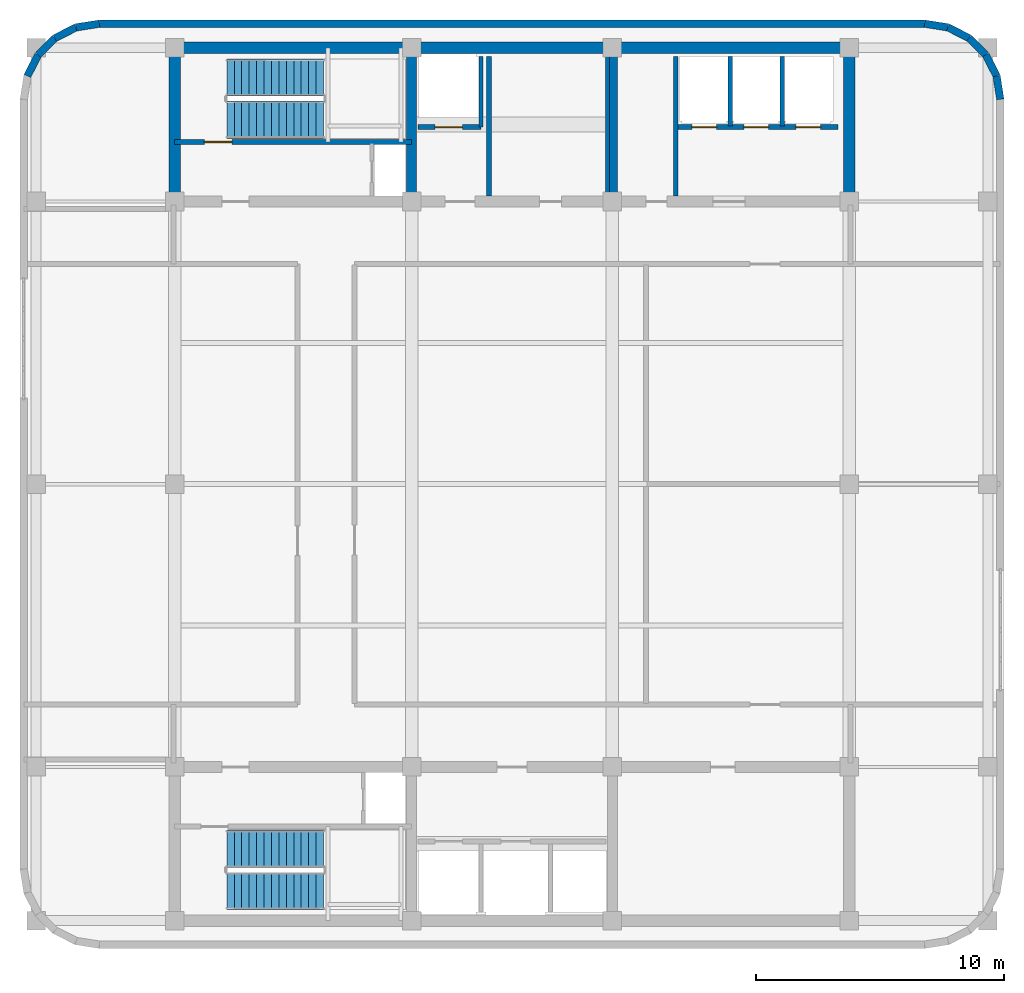
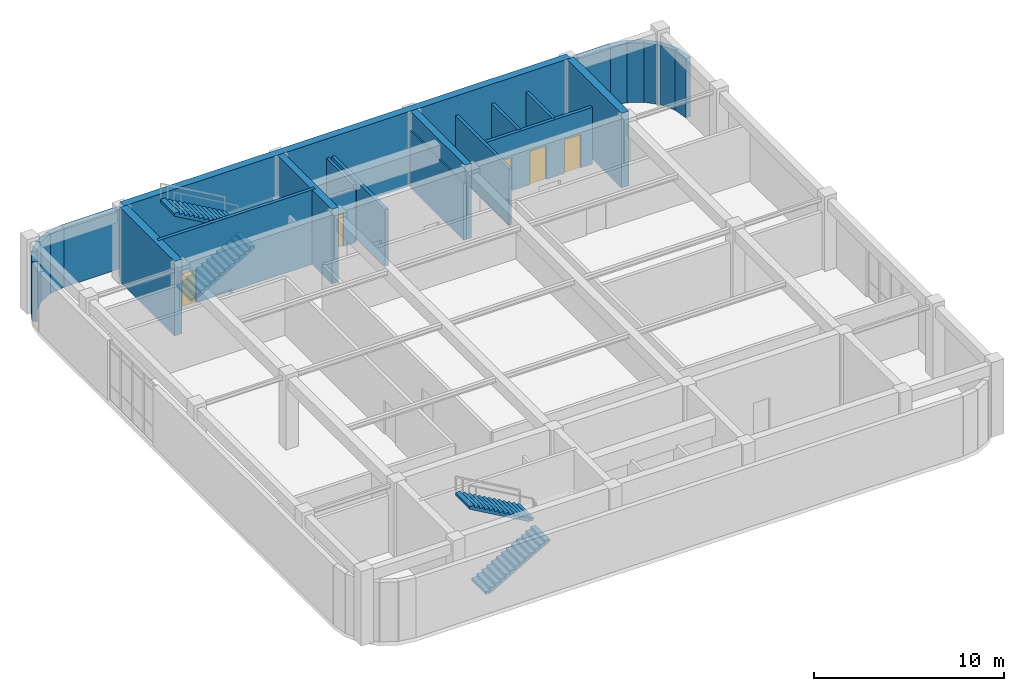
# One storey, part 6 of 7: 24 walls, 5 doors, 4 stair flights, 5 openings, 2 elements without a shape of their own.
"""IFC4 building model written with IfcOpenShell, lengths in metres."""

from ifc_helpers import new_model, si_unit, direction, frame, frame_2d, origin, place, context, subcontext, project, spatial, polyline, rectangle, outline, extrude, material, layer, layer_set, type_object, element, fill, aggregate, save


model = new_model("IFC4")

# Units and contexts
model_context = context("Model", 3, precision=1e-05, world=origin(), true_north=direction((0.0, 1.0)))
body_context = subcontext(model_context, "Body", "Model", "MODEL_VIEW")
ifc_project = project(units=[si_unit("LENGTHUNIT", "METRE"), si_unit("AREAUNIT", "SQUARE_METRE"), si_unit("VOLUMEUNIT", "CUBIC_METRE"), si_unit("PLANEANGLEUNIT", "RADIAN"), si_unit("MASSUNIT", "GRAM", prefix="KILO")], contexts=[model_context])

# Site, building, storey
site_placement = place(None, origin())
site = spatial("IfcSite", under=ifc_project, at=site_placement, CompositionType="ELEMENT")
building_placement = place(site_placement, origin())
building = spatial("IfcBuilding", under=site, at=building_placement, Name="Svetorya Sky Lyceum", CompositionType="ELEMENT")
storey_placement = place(building_placement, frame((0.0, 0.0, 255.39990234375)))
storey = spatial("IfcBuildingStorey", under=building, at=storey_placement, Name="L64", CompositionType="ELEMENT", Elevation=255.39990234375)

# Walls
ifc_material_1 = material(Name="Concrete C40/50", Category="concrete")
ifc_layer_1 = layer(ifc_material_1, 0.39990234375)
ifc_layer_set_1 = layer_set([ifc_layer_1], Name="Concrete C40/50")
wall_type_1 = type_object("IfcWallType", Name="WL-CORE-400", PredefinedType="SHEAR", material=ifc_layer_set_1)
for number, where, z_axis, x_axis, name in (
    (1, (35.14990234375, 39.824951171875, 0.0), (0.0, 0.0, 1.0), (0.0, 1.0, 0.0), "L64 NC Internal Shear Web WEB1"),
    (2, (43.25, 39.824951171875, 0.0), (0.0, 0.0, 1.0), (0.0, 1.0, 0.0), "L64 NC Internal Shear Web WEB2"),
):
    element("IfcWall", number, at=place(storey_placement, frame(where, z_axis=z_axis, x_axis=x_axis)), inside=storey, type_object=wall_type_1, Name=name, PredefinedType="SHEAR", context=body_context, shape_type="SweptSolid", body=[
        extrude(rectangle(XDim=5.75, YDim=0.39990234375, at=frame_2d((2.875, 0.0))), origin(), (0.0, 0.0, 1.0), 4.800048828125),
    ])
ifc_material_2 = material(Name="Concrete C50/60", Category="concrete")
ifc_layer_2 = layer(ifc_material_2, 0.449951171875)
ifc_layer_set_2 = layer_set([ifc_layer_2], Name="Concrete C50/60")
wall_type_2 = type_object("IfcWallType", Name="WL-CORE-450", PredefinedType="SHEAR", material=ifc_layer_set_2)
wall_1_placement = place(storey_placement, frame((25.60009765625, 45.800048828125, 0.0), z_axis=(0.0, 0.0, 1.0), x_axis=(1.0, 0.0, 0.0)))
element("IfcWall", 3, at=wall_1_placement, inside=storey, type_object=wall_type_2, Name="L64 NC Outer Core Shear Wall", PredefinedType="SHEAR", context=body_context, shape_type="SweptSolid", body=[
    extrude(rectangle(XDim=27.199951171875, YDim=0.449951171875, at=frame_2d((13.60009765625, 0.0))), origin(), (0.0, 0.0, 1.0), 4.800048828125),
])
for number, where, z_axis, x_axis, name in (
    (4, (25.60009765625, 39.824951171875, 0.0), (0.0, 0.0, 1.0), (0.0, 1.0, 0.0), "L64 NC West Core Shear Wall"),
    (5, (52.800048828125, 39.824951171875, 0.0), (0.0, 0.0, 1.0), (0.0, 1.0, 0.0), "L64 NC East Core Shear Wall"),
):
    element("IfcWall", number, at=place(storey_placement, frame(where, z_axis=z_axis, x_axis=x_axis)), inside=storey, type_object=wall_type_2, Name=name, PredefinedType="SHEAR", context=body_context, shape_type="SweptSolid", body=[
        extrude(rectangle(XDim=5.75, YDim=0.449951171875, at=frame_2d((2.875, 0.0))), origin(), (0.0, 0.0, 1.0), 4.800048828125),
    ])
ifc_material_3 = material(Name="Putilovo limestone rainscreen on autoclaved cellular masonry", Category="masonry")
ifc_layer_3 = layer(ifc_material_3, 0.300048828125)
ifc_layer_set_3 = layer_set([ifc_layer_3], Name="Putilovo limestone rainscreen on autoclaved cellular masonry")
wall_type_3 = type_object("IfcWallType", Name="WL-EXT-300", PredefinedType="SOLIDWALL", material=ifc_layer_set_3)
wall_2_placement = place(storey_placement, frame((58.889892578125, 43.719970703125, 0.0), z_axis=(0.0, 0.0, 1.0), x_axis=(-0.156304114255, 0.987708977314, 0.0)))
element("IfcWall", 6, at=wall_2_placement, inside=storey, type_object=wall_type_3, Name="L64 Limestone Exterior Wall 13M", PredefinedType="SOLIDWALL", context=body_context, shape_type="SweptSolid", body=[
    extrude(rectangle(XDim=0.954345703125, YDim=0.300048828125, at=frame_2d((0.47705078125, 0.0))), origin(), (0.0, 0.0, 1.0), 3.830078125),
])
wall_3_placement = place(storey_placement, frame((58.74072265625, 44.66259765625, 0.0), z_axis=(0.0, 0.0, 1.0), x_axis=(-0.45395644796, 0.891023873617, 0.0)))
element("IfcWall", 7, at=wall_3_placement, inside=storey, type_object=wall_type_3, Name="L64 Limestone Exterior Wall 14M", PredefinedType="SOLIDWALL", context=body_context, shape_type="SweptSolid", body=[
    extrude(rectangle(XDim=0.9541015625, YDim=0.300048828125, at=frame_2d((0.47705078125, 0.0))), origin(), (0.0, 0.0, 1.0), 3.830078125),
])
for number, where, z_axis, x_axis, name in (
    (8, (58.3076171875, 45.5126953125, 0.0), (0.0, 0.0, 1.0), (-0.707106781187, 0.707106781187, 0.0), "L64 Limestone Exterior Wall 15M"),
    (9, (57.6328125, 46.1875, 0.0), (0.0, 0.0, 1.0), (-0.891076589373, 0.453852962833, 0.0), "L64 Limestone Exterior Wall 16M"),
):
    element("IfcWall", number, at=place(storey_placement, frame(where, z_axis=z_axis, x_axis=x_axis)), inside=storey, type_object=wall_type_3, Name=name, PredefinedType="SOLIDWALL", context=body_context, shape_type="SweptSolid", body=[
        extrude(rectangle(XDim=0.954345703125, YDim=0.300048828125, at=frame_2d((0.47705078125, 0.0))), origin(), (0.0, 0.0, 1.0), 3.830078125),
    ])
wall_4_placement = place(storey_placement, frame((56.782470703125, 46.62060546875, 0.0), z_axis=(0.0, 0.0, 1.0), x_axis=(-0.987663181641, 0.156593229835, 0.0)))
element("IfcWall", 10, at=wall_4_placement, inside=storey, type_object=wall_type_3, Name="L64 Limestone Exterior Wall 17M", PredefinedType="SOLIDWALL", context=body_context, shape_type="SweptSolid", body=[
    extrude(rectangle(XDim=0.9541015625, YDim=0.300048828125, at=frame_2d((0.47705078125, 0.0))), origin(), (0.0, 0.0, 1.0), 3.830078125),
])
wall_5_placement = place(storey_placement, frame((55.840087890625, 46.77001953125, 0.0), z_axis=(0.0, 0.0, 1.0), x_axis=(-1.0, 0.0, 0.0)))
element("IfcWall", 11, at=wall_5_placement, inside=storey, type_object=wall_type_3, Name="L64 Limestone Exterior Wall 18M", PredefinedType="SOLIDWALL", context=body_context, shape_type="SweptSolid", body=[
    extrude(rectangle(XDim=33.280029296875, YDim=0.300048828125, at=frame_2d((16.64013671875, 0.0))), origin(), (0.0, 0.0, 1.0), 3.830078125),
])
wall_6_placement = place(storey_placement, frame((22.56005859375, 46.77001953125, 0.0), z_axis=(0.0, 0.0, 1.0), x_axis=(-0.987669453596, -0.156553666304, 0.0)))
element("IfcWall", 12, at=wall_6_placement, inside=storey, type_object=wall_type_3, Name="L64 Limestone Exterior Wall 19M", PredefinedType="SOLIDWALL", context=body_context, shape_type="SweptSolid", body=[
    extrude(rectangle(XDim=0.954345703125, YDim=0.300048828125, at=frame_2d((0.47705078125, 0.0))), origin(), (0.0, 0.0, 1.0), 3.830078125),
])
wall_7_placement = place(storey_placement, frame((21.617431640625, 46.62060546875, 0.0), z_axis=(0.0, 0.0, 1.0), x_axis=(-0.891023873617, -0.45395644796, 0.0)))
element("IfcWall", 13, at=wall_7_placement, inside=storey, type_object=wall_type_3, Name="L64 Limestone Exterior Wall 20M", PredefinedType="SOLIDWALL", context=body_context, shape_type="SweptSolid", body=[
    extrude(rectangle(XDim=0.9541015625, YDim=0.300048828125, at=frame_2d((0.47705078125, 0.0))), origin(), (0.0, 0.0, 1.0), 3.830078125),
])
wall_8_placement = place(storey_placement, frame((20.767333984375, 46.1875, 0.0), z_axis=(0.0, 0.0, 1.0), x_axis=(-0.707106781187, -0.707106781187, 0.0)))
element("IfcWall", 14, at=wall_8_placement, inside=storey, type_object=wall_type_3, Name="L64 Limestone Exterior Wall 21M", PredefinedType="SOLIDWALL", context=body_context, shape_type="SweptSolid", body=[
    extrude(rectangle(XDim=0.954345703125, YDim=0.300048828125, at=frame_2d((0.47705078125, 0.0))), origin(), (0.0, 0.0, 1.0), 3.830078125),
])
wall_9_placement = place(storey_placement, frame((20.092529296875, 45.5126953125, 0.0), z_axis=(0.0, 0.0, 1.0), x_axis=(-0.454159573051, -0.890920356825, 0.0)))
element("IfcWall", 15, at=wall_9_placement, inside=storey, type_object=wall_type_3, Name="L64 Limestone Exterior Wall 22M", PredefinedType="SOLIDWALL", context=body_context, shape_type="SweptSolid", body=[
    extrude(rectangle(XDim=0.9541015625, YDim=0.300048828125, at=frame_2d((0.47705078125, 0.0))), origin(), (0.0, 0.0, 1.0), 3.830078125),
])
ifc_material_4 = material(Name="Autoclaved cellular masonry blockwork with fire render", Category="masonry")
ifc_layer_4 = layer(ifc_material_4, 0.175048828125)
ifc_layer_set_4 = layer_set([ifc_layer_4], Name="Autoclaved cellular masonry blockwork with fire render")
wall_type_4 = type_object("IfcWallType", Name="WL-PART-175", PredefinedType="PARTITIONING", material=ifc_layer_set_4)
wall_10_placement = place(storey_placement, frame((37.949951171875, 42.60009765625, 0.0), z_axis=(0.0, 0.0, 1.0), x_axis=(0.0, 1.0, 0.0)))
element("IfcWall", 16, at=wall_10_placement, inside=storey, type_object=wall_type_4, Name="L64 Interior Partition NC-FL1SIDE", PredefinedType="PARTITIONING", context=body_context, shape_type="SweptSolid", body=[
    extrude(rectangle(XDim=2.849853515625, YDim=0.175048828125, at=frame_2d((1.4248046875, 0.0))), origin(), (0.0, 0.0, 1.0), 3.66015625),
])
for number, where, z_axis, x_axis, name in (
    (17, (43.050048828125, 39.820068359375, 0.0), (0.0, 0.0, 1.0), (0.0, 1.0, 0.0), "L64 Interior Partition NC-FPM-END"),
    (18, (45.800048828125, 39.820068359375, 0.0), (0.0, 0.0, 1.0), (0.0, 1.0, 0.0), "L64 Interior Partition NC-PM3-FULL"),
):
    element("IfcWall", number, at=place(storey_placement, frame(where, z_axis=z_axis, x_axis=x_axis)), inside=storey, type_object=wall_type_4, Name=name, PredefinedType="PARTITIONING", context=body_context, shape_type="SweptSolid", body=[
        extrude(rectangle(XDim=5.6298828125, YDim=0.175048828125, at=frame_2d((2.81494140625, 0.0))), origin(), (0.0, 0.0, 1.0), 3.66015625),
    ])
for number, where, z_axis, x_axis, name in (
    (19, (48.0, 42.64990234375, 0.0), (0.0, 0.0, 1.0), (0.0, 1.0, 0.0), "L64 Interior Partition NC-PH-D1"),
    (20, (50.10009765625, 42.64990234375, 0.0), (0.0, 0.0, 1.0), (0.0, 1.0, 0.0), "L64 Interior Partition NC-PH-D2"),
):
    element("IfcWall", number, at=place(storey_placement, frame(where, z_axis=z_axis, x_axis=x_axis)), inside=storey, type_object=wall_type_4, Name=name, PredefinedType="PARTITIONING", context=body_context, shape_type="SweptSolid", body=[
        extrude(rectangle(XDim=2.800048828125, YDim=0.175048828125, at=frame_2d((1.39990234375, 0.0))), origin(), (0.0, 0.0, 1.0), 3.66015625),
    ])

# Wall, opening, door
ifc_material_5 = material(Name="Autoclaved cellular masonry blockwork with gypsum plaster", Category="masonry")
ifc_layer_5 = layer(ifc_material_5, 0.199951171875)
ifc_layer_set_5 = layer_set([ifc_layer_5], Name="Autoclaved cellular masonry blockwork with gypsum plaster")
wall_type_5 = type_object("IfcWallType", Name="WL-PART-200", PredefinedType="PARTITIONING", material=ifc_layer_set_5)
wall_11_placement = place(storey_placement, frame((37.949951171875, 42.60009765625, 0.0), z_axis=(0.0, 0.0, 1.0), x_axis=(-1.0, 0.0, 0.0)))
wall_11 = element("IfcWall", 21, at=wall_11_placement, inside=storey, type_object=wall_type_5, Name="L64 Interior Partition NC-FL1W", PredefinedType="PARTITIONING", context=body_context, shape_type="SweptSolid", body=[
    extrude(rectangle(XDim=2.550048828125, YDim=0.199951171875, at=frame_2d((1.27490234375, 0.0))), origin(), (0.0, 0.0, 1.0), 3.43017578125),
])
opening_1_placement = place(wall_11_placement, frame((0.75, 0.0, 0.0)))
opening_1 = element("IfcOpeningElement", 22, at=opening_1_placement, cuts=wall_11, Name="Opening LD-FL", PredefinedType="OPENING", context=body_context, shape_type="SweptSolid", body=[
    extrude(rectangle(XDim=1.10009765625, YDim=2.14990234375, at=frame_2d((0.550048828125, 1.074951171875))), frame((0.0, 0.10986328125, 0.0), z_axis=(0.0, -1.0, 0.0), x_axis=(1.0, 0.0, 0.0)), (0.0, 0.0, 1.0), 0.219970703125),
])
ifc_material_6 = material(Name="Fire-rated stainless AISI 304 firefighting lift landing door")
door_type_1 = type_object("IfcDoorType", Name="DR-LIFT-1100", OperationType="SLIDING_TO_LEFT", PredefinedType="DOOR", material=ifc_material_6)
door_1_placement = place(opening_1_placement, origin())
door_1 = element("IfcDoor", 23, at=door_1_placement, inside=storey, type_object=door_type_1, Name="L64 Firefighting Lift FL1 Landing Door", OperationType="SLIDING_TO_LEFT", OverallHeight=2.14990234375, OverallWidth=1.10009765625, PredefinedType="DOOR", context=body_context, shape_type="SweptSolid", body=[
    extrude(rectangle(XDim=1.10009765625, YDim=2.14990234375, at=frame_2d((0.550048828125, 1.074951171875))), frame((0.0, 0.02490234375, 0.0), z_axis=(0.0, -1.0, 0.0), x_axis=(1.0, 0.0, 0.0)), (0.0, 0.0, 1.0), 0.050048828125),
])
fill(opening_1, door_1)

# Wall
wall_12_placement = place(storey_placement, frame((38.280029296875, 39.820068359375, 0.0), z_axis=(0.0, 0.0, 1.0), x_axis=(0.0, 1.0, 0.0)))
element("IfcWall", 24, at=wall_12_placement, inside=storey, type_object=wall_type_5, Name="L64 Interior Partition NC-FFLDIV", PredefinedType="PARTITIONING", context=body_context, shape_type="SweptSolid", body=[
    extrude(rectangle(XDim=5.6298828125, YDim=0.199951171875, at=frame_2d((2.81494140625, 0.0))), origin(), (0.0, 0.0, 1.0), 3.66015625),
])

# Wall, openings, doors
wall_13_placement = place(storey_placement, frame((52.35009765625, 42.60009765625, 0.0), z_axis=(0.0, 0.0, 1.0), x_axis=(-1.0, 0.0, 0.0)))
wall_13 = element("IfcWall", 25, at=wall_13_placement, inside=storey, type_object=wall_type_5, Name="L64 Interior Partition NC-PHEW", PredefinedType="PARTITIONING", context=body_context, shape_type="SweptSolid", body=[
    extrude(rectangle(XDim=6.5, YDim=0.199951171875, at=frame_2d((3.25, 0.0))), origin(), (0.0, 0.0, 1.0), 3.66015625),
])
opening_2_placement = place(wall_13_placement, frame((4.89990234375, 0.0, 0.0)))
opening_2 = element("IfcOpeningElement", 26, at=opening_2_placement, cuts=wall_13, Name="Opening LD-P1", PredefinedType="OPENING", context=body_context, shape_type="SweptSolid", body=[
    extrude(rectangle(XDim=1.0, YDim=2.14990234375, at=frame_2d((0.5, 1.074951171875))), frame((0.0, 0.10986328125, 0.0), z_axis=(0.0, -1.0, 0.0), x_axis=(1.0, 0.0, 0.0)), (0.0, 0.0, 1.0), 0.219970703125),
])
opening_3_placement = place(wall_13_placement, frame((2.800048828125, 0.0, 0.0)))
opening_3 = element("IfcOpeningElement", 27, at=opening_3_placement, cuts=wall_13, Name="Opening LD-P1", PredefinedType="OPENING", context=body_context, shape_type="SweptSolid", body=[
    extrude(rectangle(XDim=1.0, YDim=2.14990234375, at=frame_2d((0.5, 1.074951171875))), frame((0.0, 0.10986328125, 0.0), z_axis=(0.0, -1.0, 0.0), x_axis=(1.0, 0.0, 0.0)), (0.0, 0.0, 1.0), 0.219970703125),
])
opening_4_placement = place(wall_13_placement, frame((0.699951171875, 0.0, 0.0)))
opening_4 = element("IfcOpeningElement", 28, at=opening_4_placement, cuts=wall_13, Name="Opening LD-P1", PredefinedType="OPENING", context=body_context, shape_type="SweptSolid", body=[
    extrude(rectangle(XDim=1.0, YDim=2.14990234375, at=frame_2d((0.5, 1.074951171875))), frame((0.0, 0.10986328125, 0.0), z_axis=(0.0, -1.0, 0.0), x_axis=(1.0, 0.0, 0.0)), (0.0, 0.0, 1.0), 0.219970703125),
])
ifc_material_7 = material(Name="Champagne-anodized stainless passenger lift landing door")
door_type_2 = type_object("IfcDoorType", Name="DR-LIFT-1000", OperationType="SLIDING_TO_LEFT", PredefinedType="DOOR", material=ifc_material_7)
door_2_placement = place(opening_2_placement, origin())
door_2 = element("IfcDoor", 29, at=door_2_placement, inside=storey, type_object=door_type_2, Name="L64 Passenger Lift PH1 Landing Door", OperationType="SLIDING_TO_LEFT", OverallHeight=2.14990234375, OverallWidth=1.0, PredefinedType="DOOR", context=body_context, shape_type="SweptSolid", body=[
    extrude(rectangle(XDim=1.0, YDim=2.14990234375, at=frame_2d((0.5, 1.074951171875))), frame((0.0, 0.02490234375, 0.0), z_axis=(0.0, -1.0, 0.0), x_axis=(1.0, 0.0, 0.0)), (0.0, 0.0, 1.0), 0.050048828125),
])
fill(opening_2, door_2)
door_3_placement = place(opening_3_placement, origin())
door_3 = element("IfcDoor", 30, at=door_3_placement, inside=storey, type_object=door_type_2, Name="L64 Passenger Lift PH2 Landing Door", OperationType="SLIDING_TO_LEFT", OverallHeight=2.14990234375, OverallWidth=1.0, PredefinedType="DOOR", context=body_context, shape_type="SweptSolid", body=[
    extrude(rectangle(XDim=1.0, YDim=2.14990234375, at=frame_2d((0.5, 1.074951171875))), frame((0.0, 0.02490234375, 0.0), z_axis=(0.0, -1.0, 0.0), x_axis=(1.0, 0.0, 0.0)), (0.0, 0.0, 1.0), 0.050048828125),
])
fill(opening_3, door_3)
door_4_placement = place(opening_4_placement, origin())
door_4 = element("IfcDoor", 31, at=door_4_placement, inside=storey, type_object=door_type_2, Name="L64 Passenger Lift PH3 Landing Door", OperationType="SLIDING_TO_LEFT", OverallHeight=2.14990234375, OverallWidth=1.0, PredefinedType="DOOR", context=body_context, shape_type="SweptSolid", body=[
    extrude(rectangle(XDim=1.0, YDim=2.14990234375, at=frame_2d((0.5, 1.074951171875))), frame((0.0, 0.02490234375, 0.0), z_axis=(0.0, -1.0, 0.0), x_axis=(1.0, 0.0, 0.0)), (0.0, 0.0, 1.0), 0.050048828125),
])
fill(opening_4, door_4)

# Wall, opening, door
ifc_layer_6 = layer(ifc_material_2, 0.199951171875)
ifc_layer_set_6 = layer_set([ifc_layer_6], Name="Concrete C50/60")
wall_type_6 = type_object("IfcWallType", Name="WL-SHW-200", PredefinedType="SHEAR", material=ifc_layer_set_6)
wall_14_placement = place(storey_placement, frame((35.14990234375, 42.0, 0.0), z_axis=(0.0, 0.0, 1.0), x_axis=(-1.0, 0.0, 0.0)))
wall_14 = element("IfcWall", 32, at=wall_14_placement, inside=storey, type_object=wall_type_6, Name="L64 Structural Stair Shaft Wall NC-STW", PredefinedType="SHEAR", context=body_context, shape_type="SweptSolid", body=[
    extrude(rectangle(XDim=9.5498046875, YDim=0.199951171875, at=frame_2d((4.77490234375, 0.0))), origin(), (0.0, 0.0, 1.0), 4.800048828125),
])
opening_5_placement = place(wall_14_placement, frame((7.25, 0.0, 0.0)))
opening_5 = element("IfcOpeningElement", 33, at=opening_5_placement, cuts=wall_14, Name="Opening D-ST1", PredefinedType="OPENING", context=body_context, shape_type="SweptSolid", body=[
    extrude(rectangle(XDim=1.10009765625, YDim=2.14990234375, at=frame_2d((0.550048828125, 1.074951171875))), frame((0.0, 0.10986328125, 0.0), z_axis=(0.0, -1.0, 0.0), x_axis=(1.0, 0.0, 0.0)), (0.0, 0.0, 1.0), 0.219970703125),
])
ifc_material_8 = material(Name="Powder-coated insulated galvanized stair fire door")
door_type_3 = type_object("IfcDoorType", Name="DR-FIRE-1100", OperationType="SINGLE_SWING_LEFT", PredefinedType="DOOR", material=ifc_material_8)
door_5_placement = place(opening_5_placement, origin())
door_5 = element("IfcDoor", 34, at=door_5_placement, inside=storey, type_object=door_type_3, Name="L64 Stair ST-N Vestibule Fire Door", OperationType="SINGLE_SWING_RIGHT", OverallHeight=2.14990234375, OverallWidth=1.10009765625, PredefinedType="DOOR", context=body_context, shape_type="SweptSolid", body=[
    extrude(rectangle(XDim=1.10009765625, YDim=2.14990234375, at=frame_2d((0.550048828125, 1.074951171875))), frame((0.0, 0.02490234375, 0.0), z_axis=(0.0, -1.0, 0.0), x_axis=(1.0, 0.0, 0.0)), (0.0, 0.0, 1.0), 0.050048828125),
])
fill(opening_5, door_5)

# Stair, stair flights
stair_type_1 = type_object("IfcStairType", Name="STR-ST-N", PredefinedType="HALF_TURN_STAIR", material=ifc_material_1)
stair_1_placement = place(storey_placement, origin())
stair_1 = element("IfcStair", 35, at=stair_1_placement, inside=storey, type_object=stair_type_1, Name="L64 North Core Smoke-Free Exit Stair N3", PredefinedType="HALF_TURN_STAIR")
stair_flight_type_1 = type_object("IfcStairFlightType", Name="SFL-ST-N", PredefinedType="STRAIGHT", material=ifc_material_1)
stair_flight_1_placement = place(storey_placement, frame((27.699951171875, 42.89990234375, 0.0), z_axis=(0.0, 0.0, 1.0), x_axis=(1.0, 0.0, 0.0)))
stair_flight_1 = element("IfcStairFlight", 36, at=stair_flight_1_placement, type_object=stair_flight_type_1, Name="ST-N flight 1", NumberOfRisers=14, NumberOfTreads=13, PredefinedType="STRAIGHT", RiserHeight=0.171428571, TreadLength=0.3, context=body_context, shape_type="SweptSolid", body=[
    extrude(outline(polyline([(0.0, 0.0), (0.0, 0.17138671875), (0.300048828125, 0.17138671875), (0.300048828125, 0.3427734375), (0.60009765625, 0.3427734375), (0.60009765625, 0.514404296875), (0.89990234375, 0.514404296875), (0.89990234375, 0.685791015625), (1.199951171875, 0.685791015625), (1.199951171875, 0.857177734375), (1.5, 0.857177734375), (1.5, 1.028564453125), (1.800048828125, 1.028564453125), (1.800048828125, 1.199951171875), (2.10009765625, 1.199951171875), (2.10009765625, 1.371337890625), (2.39990234375, 1.371337890625), (2.39990234375, 1.54296875), (2.699951171875, 1.54296875), (2.699951171875, 1.71435546875), (3.0, 1.71435546875), (3.0, 1.8857421875), (3.300048828125, 1.8857421875), (3.300048828125, 2.05712890625), (3.60009765625, 2.05712890625), (3.60009765625, 2.228515625), (3.89990234375, 2.228515625), (3.89990234375, 2.39990234375), (3.89990234375, 2.055908203125), (0.30224609375, 0.0), (0.0, 0.0)])), frame((0.0, 0.75, 0.0), z_axis=(0.0, -1.0, 0.0), x_axis=(1.0, 0.0, 0.0)), (0.0, 0.0, 1.0), 1.5),
])
stair_flight_2_placement = place(storey_placement, frame((31.60009765625, 44.60009765625, 2.400146484375), z_axis=(0.0, 0.0, 1.0), x_axis=(-1.0, 0.0, 0.0)))
stair_flight_2 = element("IfcStairFlight", 37, at=stair_flight_2_placement, type_object=stair_flight_type_1, Name="ST-N flight 2", NumberOfRisers=14, NumberOfTreads=13, PredefinedType="STRAIGHT", RiserHeight=0.171428571, TreadLength=0.3, context=body_context, shape_type="SweptSolid", body=[
    extrude(outline(polyline([(0.0, 0.0), (0.0, 0.17138671875), (0.300048828125, 0.17138671875), (0.300048828125, 0.3427734375), (0.60009765625, 0.3427734375), (0.60009765625, 0.514404296875), (0.89990234375, 0.514404296875), (0.89990234375, 0.685791015625), (1.199951171875, 0.685791015625), (1.199951171875, 0.857177734375), (1.5, 0.857177734375), (1.5, 1.028564453125), (1.800048828125, 1.028564453125), (1.800048828125, 1.199951171875), (2.10009765625, 1.199951171875), (2.10009765625, 1.371337890625), (2.39990234375, 1.371337890625), (2.39990234375, 1.54296875), (2.699951171875, 1.54296875), (2.699951171875, 1.71435546875), (3.0, 1.71435546875), (3.0, 1.8857421875), (3.300048828125, 1.8857421875), (3.300048828125, 2.05712890625), (3.60009765625, 2.05712890625), (3.60009765625, 2.228515625), (3.89990234375, 2.228515625), (3.89990234375, 2.39990234375), (3.89990234375, 2.055908203125), (0.30224609375, 0.0), (0.0, 0.0)])), frame((0.0, 0.75, 0.0), z_axis=(0.0, -1.0, 0.0), x_axis=(1.0, 0.0, 0.0)), (0.0, 0.0, 1.0), 1.5),
])
aggregate(stair_1, [stair_flight_1, stair_flight_2])

stair_type_2 = type_object("IfcStairType", Name="STR-ST-S", PredefinedType="HALF_TURN_STAIR", material=ifc_material_1)
stair_2_placement = place(storey_placement, origin())
stair_2 = element("IfcStair", 38, at=stair_2_placement, inside=storey, type_object=stair_type_2, Name="L64 South Core Smoke-Free Exit Stair N2", PredefinedType="HALF_TURN_STAIR")
stair_flight_type_2 = type_object("IfcStairFlightType", Name="SFL-ST-S", PredefinedType="STRAIGHT", material=ifc_material_1)
stair_flight_3_placement = place(storey_placement, frame((27.699951171875, 11.800048828125, 0.0), z_axis=(0.0, 0.0, 1.0), x_axis=(1.0, 0.0, 0.0)))
stair_flight_3 = element("IfcStairFlight", 39, at=stair_flight_3_placement, type_object=stair_flight_type_2, Name="ST-S flight 1", NumberOfRisers=14, NumberOfTreads=13, PredefinedType="STRAIGHT", RiserHeight=0.171428571, TreadLength=0.3, context=body_context, shape_type="SweptSolid", body=[
    extrude(outline(polyline([(0.0, 0.0), (0.0, 0.17138671875), (0.300048828125, 0.17138671875), (0.300048828125, 0.3427734375), (0.60009765625, 0.3427734375), (0.60009765625, 0.514404296875), (0.89990234375, 0.514404296875), (0.89990234375, 0.685791015625), (1.199951171875, 0.685791015625), (1.199951171875, 0.857177734375), (1.5, 0.857177734375), (1.5, 1.028564453125), (1.800048828125, 1.028564453125), (1.800048828125, 1.199951171875), (2.10009765625, 1.199951171875), (2.10009765625, 1.371337890625), (2.39990234375, 1.371337890625), (2.39990234375, 1.54296875), (2.699951171875, 1.54296875), (2.699951171875, 1.71435546875), (3.0, 1.71435546875), (3.0, 1.8857421875), (3.300048828125, 1.8857421875), (3.300048828125, 2.05712890625), (3.60009765625, 2.05712890625), (3.60009765625, 2.228515625), (3.89990234375, 2.228515625), (3.89990234375, 2.39990234375), (3.89990234375, 2.055908203125), (0.30224609375, 0.0), (0.0, 0.0)])), frame((0.0, 0.75, 0.0), z_axis=(0.0, -1.0, 0.0), x_axis=(1.0, 0.0, 0.0)), (0.0, 0.0, 1.0), 1.5),
])
stair_flight_4_placement = place(storey_placement, frame((31.60009765625, 13.5, 2.400146484375), z_axis=(0.0, 0.0, 1.0), x_axis=(-1.0, 0.0, 0.0)))
stair_flight_4 = element("IfcStairFlight", 40, at=stair_flight_4_placement, type_object=stair_flight_type_2, Name="ST-S flight 2", NumberOfRisers=14, NumberOfTreads=13, PredefinedType="STRAIGHT", RiserHeight=0.171428571, TreadLength=0.3, context=body_context, shape_type="SweptSolid", body=[
    extrude(outline(polyline([(0.0, 0.0), (0.0, 0.17138671875), (0.300048828125, 0.17138671875), (0.300048828125, 0.3427734375), (0.60009765625, 0.3427734375), (0.60009765625, 0.514404296875), (0.89990234375, 0.514404296875), (0.89990234375, 0.685791015625), (1.199951171875, 0.685791015625), (1.199951171875, 0.857177734375), (1.5, 0.857177734375), (1.5, 1.028564453125), (1.800048828125, 1.028564453125), (1.800048828125, 1.199951171875), (2.10009765625, 1.199951171875), (2.10009765625, 1.371337890625), (2.39990234375, 1.371337890625), (2.39990234375, 1.54296875), (2.699951171875, 1.54296875), (2.699951171875, 1.71435546875), (3.0, 1.71435546875), (3.0, 1.8857421875), (3.300048828125, 1.8857421875), (3.300048828125, 2.05712890625), (3.60009765625, 2.05712890625), (3.60009765625, 2.228515625), (3.89990234375, 2.228515625), (3.89990234375, 2.39990234375), (3.89990234375, 2.055908203125), (0.30224609375, 0.0), (0.0, 0.0)])), frame((0.0, 0.75, 0.0), z_axis=(0.0, -1.0, 0.0), x_axis=(1.0, 0.0, 0.0)), (0.0, 0.0, 1.0), 1.5),
])
aggregate(stair_2, [stair_flight_3, stair_flight_4])

save(model, "model.ifc")
